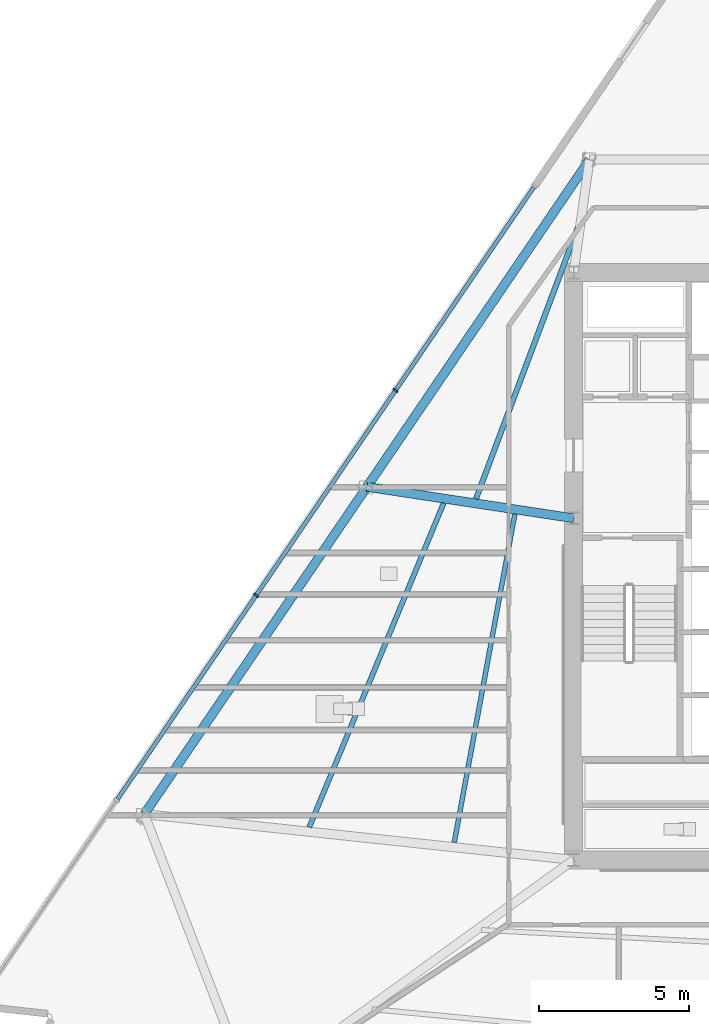
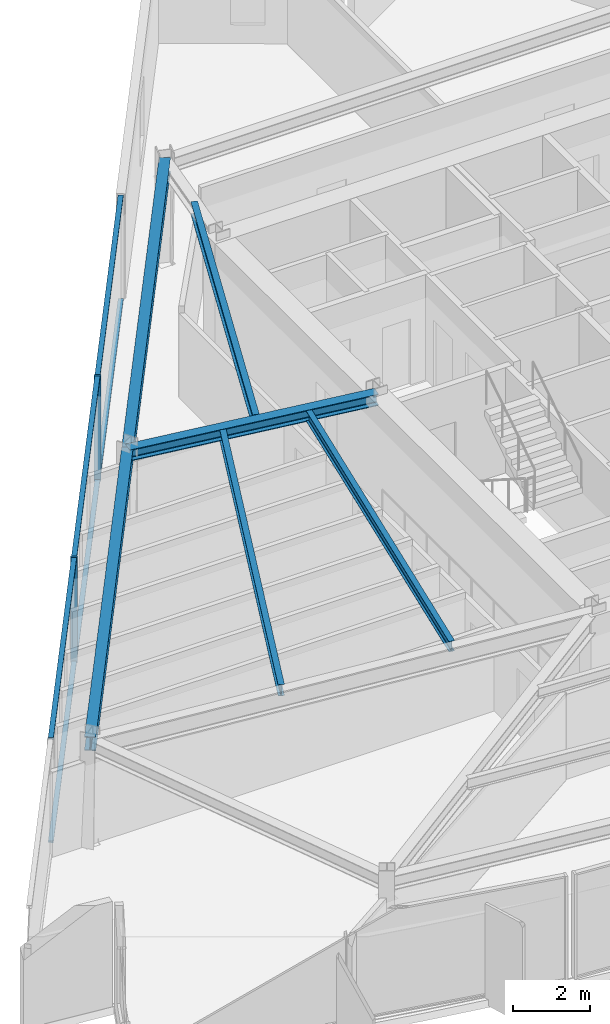
# One storey, part 3 of 15: 8 members, 6 beams, 1 element without a shape of its own.
"""IFC4 building model written with IfcOpenShell, lengths in metres."""

from ifc_helpers import new_model, si_unit, direction, frame, origin, origin_2d, place, context, subcontext, project, spatial, rectangle, i_section, extrude, material, material_profile, profile_set, type_object, element, aggregate, save


model = new_model("IFC4")

# Units and contexts
model_context = context("Model", 3, precision=1e-05, world=origin(), true_north=direction((0.0, 1.0)))
body_context = subcontext(model_context, "Body", "Model", "MODEL_VIEW")
ifc_project = project(units=[si_unit("LENGTHUNIT", "METRE"), si_unit("AREAUNIT", "SQUARE_METRE"), si_unit("VOLUMEUNIT", "CUBIC_METRE"), si_unit("PLANEANGLEUNIT", "RADIAN"), si_unit("MASSUNIT", "GRAM", prefix="KILO")], contexts=[model_context])

# Site, building, storey
site_placement = place(None, origin())
site = spatial("IfcSite", under=ifc_project, at=site_placement, CompositionType="ELEMENT")
building_placement = place(site_placement, origin())
building = spatial("IfcBuilding", under=site, at=building_placement, Name="Savorim Split Tower", CompositionType="ELEMENT")
storey_placement = place(building_placement, frame((0.0, 0.0, 118.5)))
storey = spatial("IfcBuildingStorey", under=building, at=storey_placement, Name="L31", CompositionType="ELEMENT", Elevation=118.5)

# Beams
ifc_material_1 = material(Name="Steel S355", Category="steel")
ifc_material_profile_1 = material_profile(ifc_material_1, i_section(OverallWidth=0.159912109375, OverallDepth=0.330078125, WebThickness=0.007568359375, FlangeThickness=0.011474609375, FilletRadius=0.01806640625, at=origin_2d()), Name="IPE 330")
ifc_profile_set_1 = profile_set([ifc_material_profile_1], Name="Steel S355")
beam_type_1 = type_object("IfcBeamType", Name="BM-JST-IPE330", PredefinedType="JOIST", material=ifc_profile_set_1)
beam_1_placement = place(storey_placement, frame((-9.659423828125, 2.1357421875, 3.18505859375), z_axis=(-0.181543565074, -0.983382903034, 0.0), x_axis=(0.983382903034, -0.181543565074, 0.0)))
element("IfcBeam", 1, at=beam_1_placement, inside=storey, type_object=beam_type_1, Name="L31 Secondary Floor Joist JS-11", PredefinedType="JOIST", context=body_context, shape_type="SweptSolid", body=[
    extrude(i_section(OverallWidth=0.159912109375, OverallDepth=0.330078125, WebThickness=0.007568359375, FlangeThickness=0.011474609375, FilletRadius=0.01806640625, at=origin_2d()), origin(), (0.0, 0.0, 1.0), 11.135009765625),
])
ifc_material_profile_2 = material_profile(ifc_material_1, i_section(OverallWidth=0.169921875, OverallDepth=0.360107421875, WebThickness=0.008056640625, FlangeThickness=0.0126953125, FilletRadius=0.01806640625, at=origin_2d()), Name="IPE 360")
ifc_profile_set_2 = profile_set([ifc_material_profile_2], Name="Steel S355")
beam_type_2 = type_object("IfcBeamType", Name="BM-JST-IPE360", PredefinedType="JOIST", material=ifc_profile_set_2)
beam_2_placement = place(storey_placement, frame((-12.035888671875, 2.501220703125, 3.169921875), z_axis=(-0.383156625683, -0.92368338742, 0.0), x_axis=(0.92368338742, -0.383156625683, 0.0)))
element("IfcBeam", 2, at=beam_2_placement, inside=storey, type_object=beam_type_2, Name="L31 Secondary Floor Joist JS-10", PredefinedType="JOIST", context=body_context, shape_type="SweptSolid", body=[
    extrude(i_section(OverallWidth=0.169921875, OverallDepth=0.360107421875, WebThickness=0.008056640625, FlangeThickness=0.0126953125, FilletRadius=0.01806640625, at=origin_2d()), origin(), (0.0, 0.0, 1.0), 11.697509765625),
])
ifc_material_profile_3 = material_profile(ifc_material_1, i_section(OverallWidth=0.179931640625, OverallDepth=0.39990234375, WebThickness=0.008544921875, FlangeThickness=0.013427734375, FilletRadius=0.02099609375, at=origin_2d()), Name="IPE 400")
ifc_profile_set_3 = profile_set([ifc_material_profile_3], Name="Steel S355")
beam_type_3 = type_object("IfcBeamType", Name="BM-JST-IPE400", PredefinedType="JOIST", material=ifc_profile_set_3)
beam_3_placement = place(storey_placement, frame((-7.5009765625, 11.856689453125, 3.14990234375), z_axis=(-0.351191481708, -0.936303659704, 0.0), x_axis=(0.936303659704, -0.351191481708, 0.0)))
element("IfcBeam", 3, at=beam_3_placement, inside=storey, type_object=beam_type_3, Name="L31 Secondary Floor Joist JS-09", PredefinedType="JOIST", context=body_context, shape_type="SweptSolid", body=[
    extrude(i_section(OverallWidth=0.179931640625, OverallDepth=0.39990234375, WebThickness=0.008544921875, FlangeThickness=0.013427734375, FilletRadius=0.02099609375, at=origin_2d()), origin(), (0.0, 0.0, 1.0), 9.83056640625),
])
ifc_material_profile_4 = material_profile(ifc_material_1, i_section(OverallWidth=0.300048828125, OverallDepth=0.360107421875, WebThickness=0.012451171875, FlangeThickness=0.0224609375, FilletRadius=0.027099609375, at=origin_2d()), Name="HEB 360")
ifc_profile_set_4 = profile_set([ifc_material_profile_4], Name="Steel S355")
beam_type_4 = type_object("IfcBeamType", Name="BM-PRI-HEB360", PredefinedType="BEAM", material=ifc_profile_set_4)
beam_4_placement = place(storey_placement, frame((-14.5947265625, 3.046875, 3.169921875), z_axis=(0.98866847413, -0.150115449774, 0.0), x_axis=(0.150115449774, 0.98866847413, 0.0)))
element("IfcBeam", 4, at=beam_4_placement, inside=storey, type_object=beam_type_4, Name="L31 Primary Floor Girder RG-09", PredefinedType="BEAM", context=body_context, shape_type="SweptSolid", body=[
    extrude(i_section(OverallWidth=0.300048828125, OverallDepth=0.360107421875, WebThickness=0.012451171875, FlangeThickness=0.0224609375, FilletRadius=0.027099609375, at=origin_2d()), origin(), (0.0, 0.0, 1.0), 6.973876953125),
])
ifc_material_profile_5 = material_profile(ifc_material_1, i_section(OverallWidth=0.300048828125, OverallDepth=0.43994140625, WebThickness=0.011474609375, FlangeThickness=0.02099609375, FilletRadius=0.027099609375, at=origin_2d()), Name="HEA 450")
ifc_profile_set_5 = profile_set([ifc_material_profile_5], Name="Steel S355")
beam_type_5 = type_object("IfcBeamType", Name="BM-SPN-HEA450", PredefinedType="SPANDREL", material=ifc_profile_set_5)
for number, where, z_axis, x_axis, name in (
    (5, (-7.168212890625, 13.96337890625, 3.1298828125), (-0.562480455228, -0.826810581383, 0.0), (0.826810581383, -0.562480455228, 0.0), "L31 Perimeter Spandrel Beam 8"),
    (6, (-14.5947265625, 3.046875, 3.1298828125), (-0.562459214792, -0.826825030884, 0.0), (0.826825030884, -0.562459214792, 0.0), "L31 Perimeter Spandrel Beam 9"),
):
    element("IfcBeam", number, at=place(storey_placement, frame(where, z_axis=z_axis, x_axis=x_axis)), inside=storey, type_object=beam_type_5, Name=name, PredefinedType="SPANDREL", context=body_context, shape_type="SweptSolid", body=[
        extrude(i_section(OverallWidth=0.300048828125, OverallDepth=0.43994140625, WebThickness=0.011474609375, FlangeThickness=0.02099609375, FilletRadius=0.027099609375, at=origin_2d()), origin(), (0.0, 0.0, 1.0), 13.203125),
    ])

# Curtain wall, members
ifc_material_2 = material(Name="Dark Ceramic-Fritted Insulated Glass", Category="glass")
curtain_wall_type = type_object("IfcCurtainWallType", Name="CW-TWR-FRIT-A", PredefinedType="NOTDEFINED", material=ifc_material_2)
curtain_wall_placement = place(storey_placement, origin())
curtain_wall = element("IfcCurtainWall", 7, at=curtain_wall_placement, inside=storey, type_object=curtain_wall_type, Name="L31 Curtain Wall CW-L31-WEST", PredefinedType="NOTDEFINED")
ifc_material_3 = material(Name="Charcoal Anodised Aluminium", Category="aluminium")
ifc_material_profile_6 = material_profile(ifc_material_3, rectangle(XDim=0.179931640625, YDim=0.06494140625, at=origin_2d()), Name="ALU-M 180x65")
ifc_profile_set_6 = profile_set([ifc_material_profile_6], Name="Charcoal Anodised Aluminium")
member_type_1 = type_object("IfcMemberType", Name="CWM-180x65", PredefinedType="MULLION", material=ifc_profile_set_6)
member_1_placement = place(storey_placement, frame((-13.636474609375, 6.269287109375, 0.0), z_axis=(0.0, 0.0, 1.0), x_axis=(0.826819959579, -0.562466669628, 0.0)))
member_1 = element("IfcMember", 8, at=member_1_placement, type_object=member_type_1, Name="CW-02 mullion 2", PredefinedType="MULLION", context=body_context, shape_type="SweptSolid", body=[
    extrude(rectangle(XDim=0.179931640625, YDim=0.06494140625, at=origin_2d()), origin(), (0.0, 0.0, 1.0), 3.35009765625),
])
member_2_placement = place(storey_placement, frame((-18.288818359375, -0.570068359375, 0.0), z_axis=(0.0, 0.0, 1.0), x_axis=(0.826819959579, -0.562466669628, 0.0)))
member_2 = element("IfcMember", 9, at=member_2_placement, type_object=member_type_1, Name="CW-02 mullion 3", PredefinedType="MULLION", context=body_context, shape_type="SweptSolid", body=[
    extrude(rectangle(XDim=0.179931640625, YDim=0.06494140625, at=origin_2d()), origin(), (0.0, 0.0, 1.0), 3.35009765625),
])
ifc_material_profile_7 = material_profile(ifc_material_3, rectangle(XDim=0.139892578125, YDim=0.054931640625, at=origin_2d()), Name="ALU-T 140x55")
ifc_profile_set_7 = profile_set([ifc_material_profile_7], Name="Charcoal Anodised Aluminium")
member_type_2 = type_object("IfcMemberType", Name="CWT-140x55", PredefinedType="USERDEFINED", material=ifc_profile_set_7)
member_3_placement = place(storey_placement, frame((-9.0205078125, 13.054443359375, 0.027587890625), z_axis=(-0.562478304433, -0.826812044568, 0.0), x_axis=(0.826812044568, -0.562478304433, 0.0)))
member_3 = element("IfcMember", 10, at=member_3_placement, type_object=member_type_2, Name="CW-02 transom 1.1", ObjectType="TRANSOM", PredefinedType="USERDEFINED", context=body_context, shape_type="SweptSolid", body=[
    extrude(rectangle(XDim=0.139892578125, YDim=0.054931640625, at=origin_2d()), origin(), (0.0, 0.0, 1.0), 8.173828125),
])
member_4_placement = place(storey_placement, frame((-9.0205078125, 13.054443359375, 3.322509765625), z_axis=(-0.562478304433, -0.826812044568, 0.0), x_axis=(0.826812044568, -0.562478304433, 0.0)))
member_4 = element("IfcMember", 11, at=member_4_placement, type_object=member_type_2, Name="CW-02 transom 1.2", ObjectType="TRANSOM", PredefinedType="USERDEFINED", context=body_context, shape_type="SweptSolid", body=[
    extrude(rectangle(XDim=0.139892578125, YDim=0.054931640625, at=origin_2d()), origin(), (0.0, 0.0, 1.0), 8.173828125),
])
member_5_placement = place(storey_placement, frame((-13.65478515625, 6.2421875, 0.027587890625), z_axis=(-0.562461368044, -0.8268235661, 0.0), x_axis=(0.8268235661, -0.562461368044, 0.0)))
member_5 = element("IfcMember", 12, at=member_5_placement, type_object=member_type_2, Name="CW-02 transom 2.1", ObjectType="TRANSOM", PredefinedType="USERDEFINED", context=body_context, shape_type="SweptSolid", body=[
    extrude(rectangle(XDim=0.139892578125, YDim=0.054931640625, at=origin_2d()), origin(), (0.0, 0.0, 1.0), 8.206298828125),
])
member_6_placement = place(storey_placement, frame((-13.65478515625, 6.2421875, 3.322509765625), z_axis=(-0.562461368044, -0.8268235661, 0.0), x_axis=(0.8268235661, -0.562461368044, 0.0)))
member_6 = element("IfcMember", 13, at=member_6_placement, type_object=member_type_2, Name="CW-02 transom 2.2", ObjectType="TRANSOM", PredefinedType="USERDEFINED", context=body_context, shape_type="SweptSolid", body=[
    extrude(rectangle(XDim=0.139892578125, YDim=0.054931640625, at=origin_2d()), origin(), (0.0, 0.0, 1.0), 8.206298828125),
])
member_7_placement = place(storey_placement, frame((-18.30712890625, -0.596923828125, 0.027587890625), z_axis=(-0.562467870631, -0.826819142563, 0.0), x_axis=(0.826819142563, -0.562467870631, 0.0)))
member_7 = element("IfcMember", 14, at=member_7_placement, type_object=member_type_2, Name="CW-02 transom 3.1", ObjectType="TRANSOM", PredefinedType="USERDEFINED", context=body_context, shape_type="SweptSolid", body=[
    extrude(rectangle(XDim=0.139892578125, YDim=0.054931640625, at=origin_2d()), origin(), (0.0, 0.0, 1.0), 8.20654296875),
])
member_8_placement = place(storey_placement, frame((-18.30712890625, -0.596923828125, 3.322509765625), z_axis=(-0.562467870631, -0.826819142563, 0.0), x_axis=(0.826819142563, -0.562467870631, 0.0)))
member_8 = element("IfcMember", 15, at=member_8_placement, type_object=member_type_2, Name="CW-02 transom 3.2", ObjectType="TRANSOM", PredefinedType="USERDEFINED", context=body_context, shape_type="SweptSolid", body=[
    extrude(rectangle(XDim=0.139892578125, YDim=0.054931640625, at=origin_2d()), origin(), (0.0, 0.0, 1.0), 8.20654296875),
])
aggregate(curtain_wall, [member_1, member_2, member_3, member_4, member_5, member_6, member_7, member_8])

save(model, "model.ifc")
